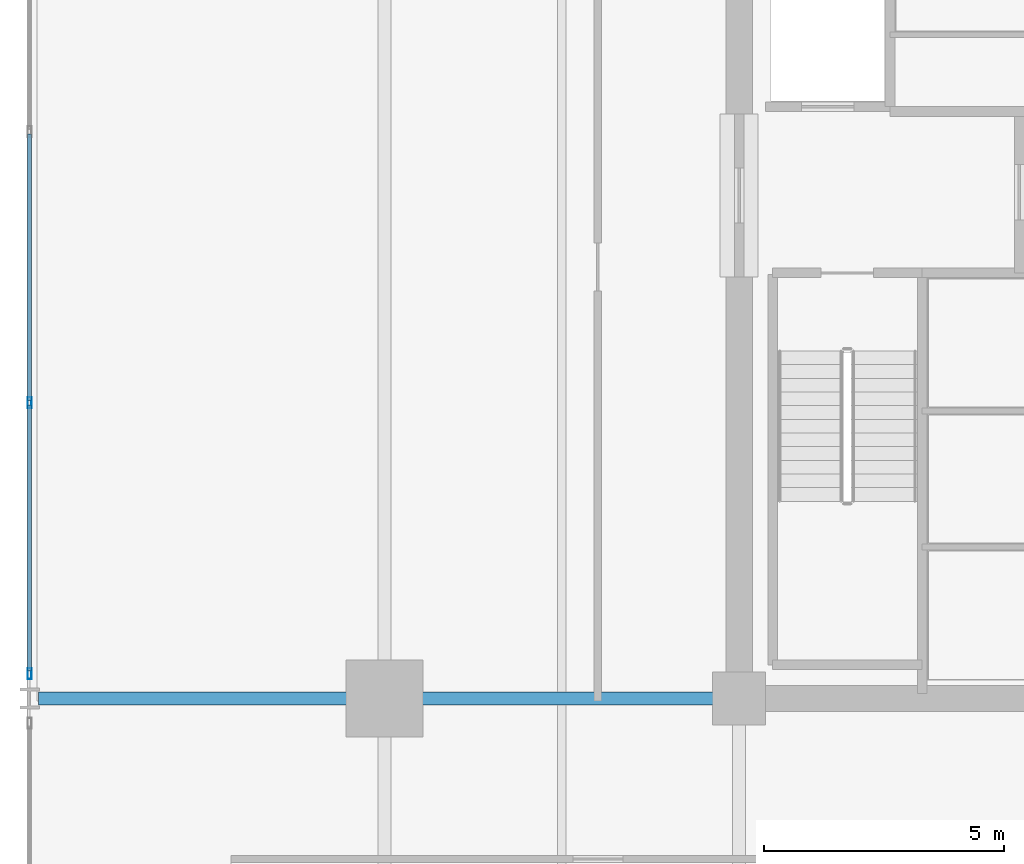
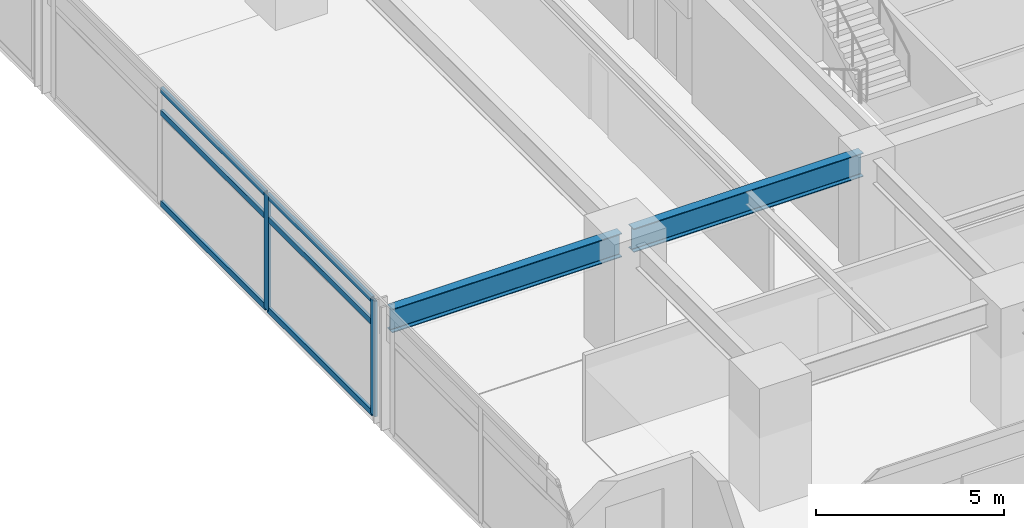
# One storey, part 5 of 23: 8 members, 2 beams, 1 element without a shape of its own.
"""IFC4 building model written with IfcOpenShell, lengths in metres."""

from ifc_helpers import new_model, si_unit, direction, frame, origin, origin_2d, place, context, subcontext, project, spatial, hollow_rectangle, i_section, extrude, material, material_profile, profile_set, type_object, element, aggregate, save


model = new_model("IFC4")

# Units and contexts
model_context = context("Model", 3, precision=1e-05, world=origin(), true_north=direction((0.0, 1.0)))
body_context = subcontext(model_context, "Body", "Model", "MODEL_VIEW")
ifc_project = project(units=[si_unit("LENGTHUNIT", "METRE"), si_unit("AREAUNIT", "SQUARE_METRE"), si_unit("VOLUMEUNIT", "CUBIC_METRE"), si_unit("PLANEANGLEUNIT", "RADIAN"), si_unit("MASSUNIT", "GRAM", prefix="KILO")], contexts=[model_context])

# Site, building, storey
site_placement = place(None, origin())
site = spatial("IfcSite", under=ifc_project, at=site_placement, CompositionType="ELEMENT")
building_placement = place(site_placement, origin())
building = spatial("IfcBuilding", under=site, at=building_placement, Name="Kovane Verandah Tower", CompositionType="ELEMENT")
storey_placement = place(building_placement, frame((0.0, 0.0, 148.39990234375)))
storey = spatial("IfcBuildingStorey", under=building, at=storey_placement, Name="L34", CompositionType="ELEMENT", Elevation=148.39990234375)

# Beams
ifc_material_1 = material(Name="Steel S355", Category="steel")
ifc_material_profile_1 = material_profile(ifc_material_1, i_section(OverallWidth=0.26806640625, OverallDepth=0.769775390625, WebThickness=0.015625, FlangeThickness=0.025390625, FilletRadius=0.0166015625, at=origin_2d()), Name="UB762x267x197")
ifc_profile_set_1 = profile_set([ifc_material_profile_1], Name="Steel S355")
beam_type = type_object("IfcBeamType", Name="BM-UB762x197", PredefinedType="BEAM", material=ifc_profile_set_1)
for number, where, z_axis, x_axis, name in (
    (1, (28.820068359375, 18.5, 3.39013671875), (-1.0, 0.0, 0.0), (0.0, -1.0, 0.0), "L34 Primary Tower Girder G-W1"),
    (2, (21.419921875, 18.5, 3.375244140625), (-1.0, 0.0, 0.0), (0.0, -1.0, 0.0), "L34 Primary Tower Girder G-VW1"),
):
    element("IfcBeam", number, at=place(storey_placement, frame(where, z_axis=z_axis, x_axis=x_axis)), inside=storey, type_object=beam_type, Name=name, PredefinedType="BEAM", context=body_context, shape_type="SweptSolid", body=[
        extrude(i_section(OverallWidth=0.26806640625, OverallDepth=0.769775390625, WebThickness=0.015625, FlangeThickness=0.025390625, FilletRadius=0.0166015625, at=origin_2d()), origin(), (0.0, 0.0, 1.0), 7.0400390625),
    ])

# Curtain wall, members
ifc_material_2 = material(Name="Champagne Anodised Aluminium Frame with Low-E Clear Laminated Glass", Category="aluminium")
curtain_wall_type = type_object("IfcCurtainWallType", Name="CW-SYS-03-MID", PredefinedType="NOTDEFINED", material=ifc_material_2)
curtain_wall_placement = place(storey_placement, origin())
curtain_wall = element("IfcCurtainWall", 3, at=curtain_wall_placement, inside=storey, type_object=curtain_wall_type, Name="L34 W Unitised Curtain Wall-2", PredefinedType="NOTDEFINED")
ifc_material_3 = material(Name="Champagne Anodised Aluminium 6063-T6", Category="aluminium")
ifc_material_profile_2 = material_profile(ifc_material_3, hollow_rectangle(XDim=0.0849609375, YDim=0.22998046875, WallThickness=0.00390625, at=origin_2d()), Name="AL85x230x4")
ifc_profile_set_2 = profile_set([ifc_material_profile_2], Name="Champagne Anodised Aluminium 6063-T6")
member_type_1 = type_object("IfcMemberType", Name="CW-MUL-85x230", PredefinedType="MULLION", material=ifc_profile_set_2)
member_1_placement = place(storey_placement, frame((14.19482421875, 24.67333984375, 0.02001953125), z_axis=(0.0, 0.0, 1.0), x_axis=(-1.0, 0.0, 0.0)))
member_1 = element("IfcMember", 4, at=member_1_placement, type_object=member_type_1, Name="L34 W Unitised Curtain Wall-2 Mullion 3", PredefinedType="MULLION", context=body_context, shape_type="SweptSolid", body=[
    extrude(hollow_rectangle(XDim=0.0849609375, YDim=0.22998046875, WallThickness=0.00390625, at=origin_2d()), origin(), (0.0, 0.0, 1.0), 3.735107421875),
])
member_2_placement = place(storey_placement, frame((14.19482421875, 19.02001953125, 0.02001953125), z_axis=(0.0, 0.0, 1.0), x_axis=(-1.0, 0.0, 0.0)))
member_2 = element("IfcMember", 5, at=member_2_placement, type_object=member_type_1, Name="L34 W Unitised Curtain Wall-2 Mullion 4", PredefinedType="MULLION", context=body_context, shape_type="SweptSolid", body=[
    extrude(hollow_rectangle(XDim=0.0849609375, YDim=0.22998046875, WallThickness=0.00390625, at=origin_2d()), origin(), (0.0, 0.0, 1.0), 3.735107421875),
])
ifc_material_profile_3 = material_profile(ifc_material_3, hollow_rectangle(XDim=0.0849609375, YDim=0.18994140625, WallThickness=0.00390625, at=origin_2d()), Name="AL85x190x4")
ifc_profile_set_3 = profile_set([ifc_material_profile_3], Name="Champagne Anodised Aluminium 6063-T6")
member_type_2 = type_object("IfcMemberType", Name="CW-TRN-85x190", PredefinedType="USERDEFINED", material=ifc_profile_set_3)
member_3_placement = place(storey_placement, frame((14.19482421875, 30.276611328125, 0.050048828125), z_axis=(0.0, -1.0, 0.0), x_axis=(1.0, 0.0, 0.0)))
member_3 = element("IfcMember", 6, at=member_3_placement, type_object=member_type_2, Name="L34 W Unitised Curtain Wall-2 Transom TB Bay 2", ObjectType="TRANSOM", PredefinedType="USERDEFINED", context=body_context, shape_type="SweptSolid", body=[
    extrude(hollow_rectangle(XDim=0.0849609375, YDim=0.18994140625, WallThickness=0.00390625, at=origin_2d()), origin(), (0.0, 0.0, 1.0), 5.55322265625),
])
member_4_placement = place(storey_placement, frame((14.19482421875, 30.276611328125, 2.9951171875), z_axis=(0.0, -1.0, 0.0), x_axis=(1.0, 0.0, 0.0)))
member_4 = element("IfcMember", 7, at=member_4_placement, type_object=member_type_2, Name="L34 W Unitised Curtain Wall-2 Transom TM Bay 2", ObjectType="TRANSOM", PredefinedType="USERDEFINED", context=body_context, shape_type="SweptSolid", body=[
    extrude(hollow_rectangle(XDim=0.0849609375, YDim=0.18994140625, WallThickness=0.00390625, at=origin_2d()), origin(), (0.0, 0.0, 1.0), 5.55322265625),
])
member_5_placement = place(storey_placement, frame((14.19482421875, 30.276611328125, 3.72509765625), z_axis=(0.0, -1.0, 0.0), x_axis=(1.0, 0.0, 0.0)))
member_5 = element("IfcMember", 8, at=member_5_placement, type_object=member_type_2, Name="L34 W Unitised Curtain Wall-2 Transom TT Bay 2", ObjectType="TRANSOM", PredefinedType="USERDEFINED", context=body_context, shape_type="SweptSolid", body=[
    extrude(hollow_rectangle(XDim=0.0849609375, YDim=0.18994140625, WallThickness=0.00390625, at=origin_2d()), origin(), (0.0, 0.0, 1.0), 5.55322265625),
])
member_6_placement = place(storey_placement, frame((14.19482421875, 24.623291015625, 0.050048828125), z_axis=(0.0, -1.0, 0.0), x_axis=(1.0, 0.0, 0.0)))
member_6 = element("IfcMember", 9, at=member_6_placement, type_object=member_type_2, Name="L34 W Unitised Curtain Wall-2 Transom TB Bay 3", ObjectType="TRANSOM", PredefinedType="USERDEFINED", context=body_context, shape_type="SweptSolid", body=[
    extrude(hollow_rectangle(XDim=0.0849609375, YDim=0.18994140625, WallThickness=0.00390625, at=origin_2d()), origin(), (0.0, 0.0, 1.0), 5.55322265625),
])
member_7_placement = place(storey_placement, frame((14.19482421875, 24.623291015625, 2.9951171875), z_axis=(0.0, -1.0, 0.0), x_axis=(1.0, 0.0, 0.0)))
member_7 = element("IfcMember", 10, at=member_7_placement, type_object=member_type_2, Name="L34 W Unitised Curtain Wall-2 Transom TM Bay 3", ObjectType="TRANSOM", PredefinedType="USERDEFINED", context=body_context, shape_type="SweptSolid", body=[
    extrude(hollow_rectangle(XDim=0.0849609375, YDim=0.18994140625, WallThickness=0.00390625, at=origin_2d()), origin(), (0.0, 0.0, 1.0), 5.55322265625),
])
member_8_placement = place(storey_placement, frame((14.19482421875, 24.623291015625, 3.72509765625), z_axis=(0.0, -1.0, 0.0), x_axis=(1.0, 0.0, 0.0)))
member_8 = element("IfcMember", 11, at=member_8_placement, type_object=member_type_2, Name="L34 W Unitised Curtain Wall-2 Transom TT Bay 3", ObjectType="TRANSOM", PredefinedType="USERDEFINED", context=body_context, shape_type="SweptSolid", body=[
    extrude(hollow_rectangle(XDim=0.0849609375, YDim=0.18994140625, WallThickness=0.00390625, at=origin_2d()), origin(), (0.0, 0.0, 1.0), 5.55322265625),
])
aggregate(curtain_wall, [member_1, member_2, member_3, member_4, member_5, member_6, member_7, member_8])

save(model, "model.ifc")
